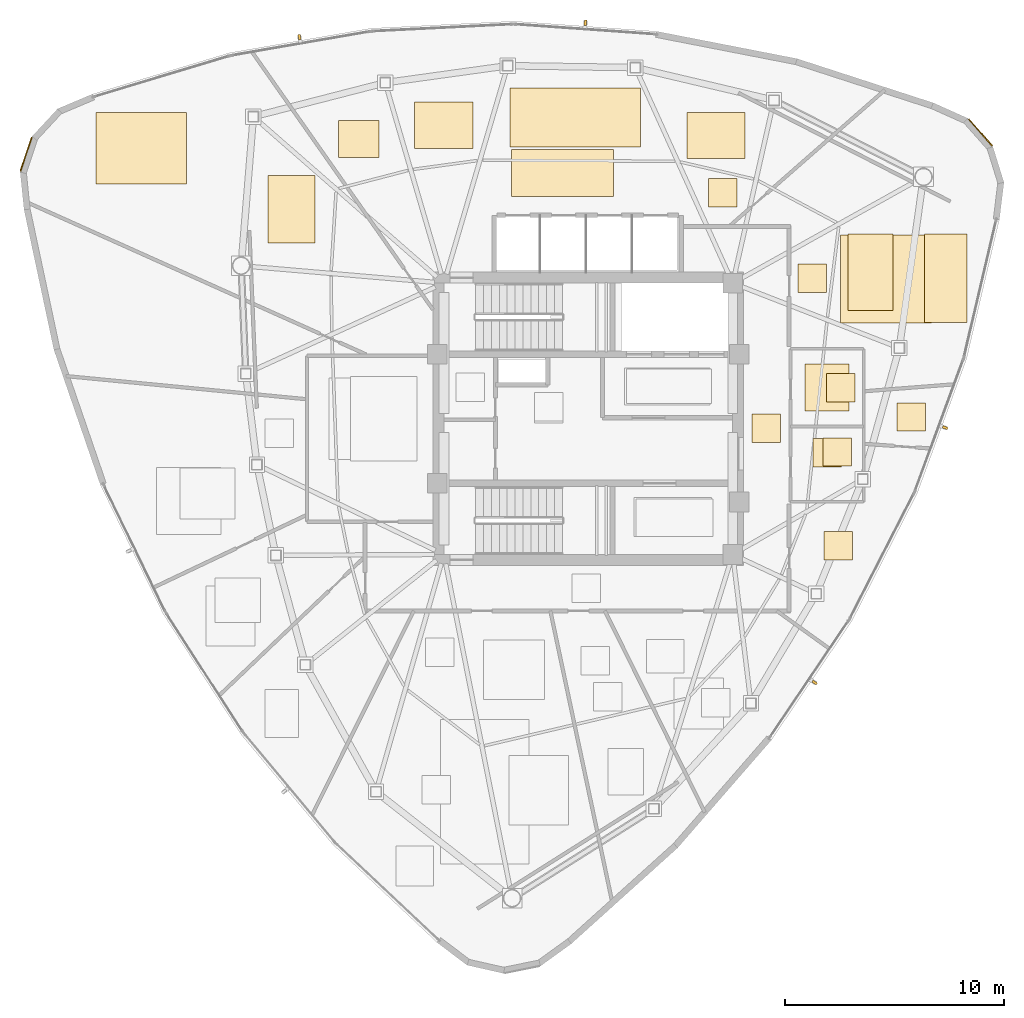
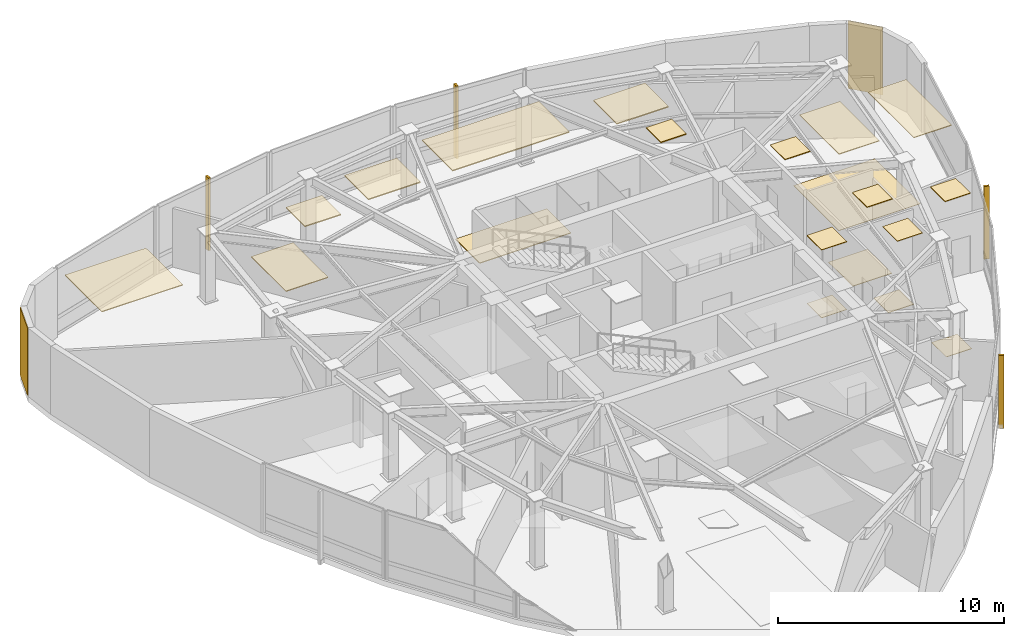
# One storey, part 12 of 12: 22 coverings, 4 shading devices.
"""IFC4 building model written with IfcOpenShell, lengths in metres."""

from ifc_helpers import new_model, si_unit, direction, frame, origin, origin_2d, place, context, subcontext, project, spatial, polyline, rectangle, outline, extrude, source, transform, mapped, material, layer, layer_set, type_object, type_shapes, element, save


model = new_model("IFC4")

# Units and contexts
model_context = context("Model", 3, precision=1e-05, world=origin(), true_north=direction((0.0, 1.0)))
body_context = subcontext(model_context, "Body", "Model", "MODEL_VIEW")
ifc_project = project(units=[si_unit("LENGTHUNIT", "METRE"), si_unit("AREAUNIT", "SQUARE_METRE"), si_unit("VOLUMEUNIT", "CUBIC_METRE"), si_unit("PLANEANGLEUNIT", "RADIAN"), si_unit("MASSUNIT", "GRAM", prefix="KILO")], contexts=[model_context])

# Site, building, storey
site_placement = place(None, origin())
site = spatial("IfcSite", under=ifc_project, at=site_placement, CompositionType="ELEMENT")
building_placement = place(site_placement, origin())
building = spatial("IfcBuilding", under=site, at=building_placement, Name="Tavelor Broadcast Tower", CompositionType="ELEMENT")
storey_placement = place(building_placement, frame((0.0, 0.0, 293.5)))
storey = spatial("IfcBuildingStorey", under=building, at=storey_placement, Name="L70", CompositionType="ELEMENT", Elevation=293.5)

# Coverings
ifc_material_1 = material(Name="Copper-Bronze Anodized Aluminium", Category="aluminium")
ifc_layer_1 = layer(ifc_material_1, 0.050048828125)
ifc_layer_set_1 = layer_set([ifc_layer_1], Name="Copper-Bronze Anodized Aluminium")
covering_type_1 = type_object("IfcCoveringType", Name="Champagne-Bronze Corner Pier Metal Cladding 50 mm", PredefinedType="CLADDING", material=ifc_layer_set_1)
for number, where, z_axis, x_axis, name in (
    (1, (24.304931640625, 57.090087890625, 0.02001953125), (0.0, 0.0, 1.0), (-0.316476967182, -0.948600194626, 0.0), "L70 Champagne-Bronze Corner Cladding 03"),
    (2, (67.91796875, 58.090087890625, 0.02001953125), (0.0, 0.0, 1.0), (-0.66327338299, 0.748377190605, 0.0), "L70 Champagne-Bronze Corner Cladding 23"),
):
    element("IfcCovering", number, at=place(storey_placement, frame(where, z_axis=z_axis, x_axis=x_axis)), inside=storey, type_object=covering_type_1, Name=name, PredefinedType="CLADDING", context=body_context, shape_type="SweptSolid", body=[
        extrude(rectangle(XDim=1.620361328125, YDim=0.050048828125, at=origin_2d()), origin(), (0.0, 0.0, 1.0), 3.659912109375),
    ])
ifc_material_2 = material(Name="Architectural Anodized Aluminium", Category="aluminium")
ifc_layer_2 = layer(ifc_material_2, 0.034912109375)
ifc_layer_set_2 = layer_set([ifc_layer_2], Name="Architectural Anodized Aluminium")
covering_type_2 = type_object("IfcCoveringType", Name="Demountable Metal Tile Corridor Ceiling 35 mm", PredefinedType="CEILING", material=ifc_layer_set_2)
covering_1_placement = place(storey_placement, frame((0.0, 0.0, 3.6650390625)))
element("IfcCovering", 3, at=covering_1_placement, inside=storey, type_object=covering_type_2, Name="L70 Suspended Acoustic Ceiling 2672", PredefinedType="CEILING", context=body_context, shape_type="SweptSolid", body=[
    extrude(outline(polyline([(57.489990234375, 43.925048828125), (58.7900390625, 43.925048828125), (58.7900390625, 45.22509765625), (57.489990234375, 45.22509765625), (57.489990234375, 43.925048828125)])), origin(), (0.0, 0.0, 1.0), 0.034912109375),
])
ifc_material_3 = material(Name="Acoustic Nylon Carpet Tile")
ifc_layer_3 = layer(ifc_material_3, 0.02001953125)
ifc_layer_set_3 = layer_set([ifc_layer_3], Name="Acoustic Nylon Carpet Tile")
covering_type_3 = type_object("IfcCoveringType", Name="Heavy-Duty Acoustic Broadcast Carpet Tile 20 mm", PredefinedType="FLOORING", material=ifc_layer_set_3)
covering_2_placement = place(storey_placement, origin())
element("IfcCovering", 4, at=covering_2_placement, inside=storey, type_object=covering_type_3, Name="L70 Broadcast Floor Finish 1042", PredefinedType="FLOORING", context=body_context, shape_type="SweptSolid", body=[
    extrude(outline(polyline([(57.489990234375, 43.925048828125), (58.7900390625, 43.925048828125), (58.7900390625, 45.22509765625), (57.489990234375, 45.22509765625), (57.489990234375, 43.925048828125)])), origin(), (0.0, 0.0, 1.0), 0.02001953125),
])
covering_3_placement = place(storey_placement, origin())
element("IfcCovering", 5, at=covering_3_placement, inside=storey, type_object=covering_type_3, Name="L70 Broadcast Floor Finish 1046", PredefinedType="FLOORING", context=body_context, shape_type="SweptSolid", body=[
    extrude(outline(polyline([(60.771728515625, 38.54248046875), (62.07177734375, 38.54248046875), (62.07177734375, 39.842529296875), (60.771728515625, 39.842529296875), (60.771728515625, 38.54248046875)])), origin(), (0.0, 0.0, 1.0), 0.02001953125),
])
covering_4_placement = place(storey_placement, origin())
element("IfcCovering", 6, at=covering_4_placement, inside=storey, type_object=covering_type_3, Name="L70 Broadcast Floor Finish 1053", PredefinedType="FLOORING", context=body_context, shape_type="SweptSolid", body=[
    extrude(outline(polyline([(61.5302734375, 49.376220703125), (65.69384765625, 49.376220703125), (65.69384765625, 53.39501953125), (61.5302734375, 53.39501953125), (61.5302734375, 49.376220703125)])), origin(), (0.0, 0.0, 1.0), 0.02001953125),
])
ifc_material_4 = material(Name="Acoustic Hardwood Studio Flooring", Category="wood")
ifc_layer_4 = layer(ifc_material_4, 0.034912109375)
ifc_layer_set_4 = layer_set([ifc_layer_4], Name="Acoustic Hardwood Studio Flooring")
covering_type_4 = type_object("IfcCoveringType", Name="Isolated Studio Acoustic Elastomeric Floor Finish 35 mm", PredefinedType="FLOORING", material=ifc_layer_set_4)
covering_5_placement = place(storey_placement, origin())
element("IfcCovering", 7, at=covering_5_placement, inside=storey, type_object=covering_type_4, Name="L70 Broadcast Floor Finish 1052", PredefinedType="FLOORING", context=body_context, shape_type="SweptSolid", body=[
    extrude(outline(polyline([(46.482666015625, 55.151123046875), (51.15673828125, 55.151123046875), (51.15673828125, 57.2998046875), (46.482666015625, 57.2998046875), (46.482666015625, 55.151123046875)])), origin(), (0.0, 0.0, 1.0), 0.034912109375),
])
ifc_material_5 = material(Name="Acoustic Perforated Timber Baffle", Category="wood")
ifc_layer_5 = layer(ifc_material_5, 0.054931640625)
ifc_layer_set_5 = layer_set([ifc_layer_5], Name="Acoustic Perforated Timber Baffle")
covering_type_5 = type_object("IfcCoveringType", Name="Micro-Perforated Acoustic Baffle Studio Ceiling 55 mm", PredefinedType="CEILING", material=ifc_layer_set_5)
covering_6_placement = place(storey_placement, frame((0.0, 0.0, 3.64501953125)))
element("IfcCovering", 8, at=covering_6_placement, inside=storey, type_object=covering_type_5, Name="L70 Suspended Acoustic Ceiling 2692", PredefinedType="CEILING", context=body_context, shape_type="SweptSolid", body=[
    extrude(outline(polyline([(54.51708984375, 56.90771484375), (57.165771484375, 56.90771484375), (57.165771484375, 58.9951171875), (54.51708984375, 58.9951171875), (54.51708984375, 56.90771484375)])), origin(), (0.0, 0.0, 1.0), 0.054931640625),
])
covering_7_placement = place(storey_placement, frame((0.0, 0.0, 3.64501953125)))
element("IfcCovering", 9, at=covering_7_placement, inside=storey, type_object=covering_type_5, Name="L70 Suspended Acoustic Ceiling 2693", PredefinedType="CEILING", context=body_context, shape_type="SweptSolid", body=[
    extrude(outline(polyline([(55.4873046875, 54.688720703125), (56.787353515625, 54.688720703125), (56.787353515625, 55.98876953125), (55.4873046875, 55.98876953125), (55.4873046875, 54.688720703125)])), origin(), (0.0, 0.0, 1.0), 0.054931640625),
])
covering_8_placement = place(storey_placement, frame((0.0, 0.0, 3.64501953125)))
element("IfcCovering", 10, at=covering_8_placement, inside=storey, type_object=covering_type_5, Name="L70 Suspended Acoustic Ceiling 2694", PredefinedType="CEILING", context=body_context, shape_type="SweptSolid", body=[
    extrude(outline(polyline([(38.587158203125, 56.950927734375), (40.4248046875, 56.950927734375), (40.4248046875, 58.6357421875), (38.587158203125, 58.6357421875), (38.587158203125, 56.950927734375)])), origin(), (0.0, 0.0, 1.0), 0.054931640625),
])
covering_9_placement = place(storey_placement, frame((0.0, 0.0, 3.64501953125)))
element("IfcCovering", 11, at=covering_9_placement, inside=storey, type_object=covering_type_5, Name="L70 Suspended Acoustic Ceiling 2695", PredefinedType="CEILING", context=body_context, shape_type="SweptSolid", body=[
    extrude(outline(polyline([(46.41064453125, 57.414794921875), (52.3798828125, 57.414794921875), (52.3798828125, 60.12158203125), (46.41064453125, 60.12158203125), (46.41064453125, 57.414794921875)])), origin(), (0.0, 0.0, 1.0), 0.054931640625),
])
covering_10_placement = place(storey_placement, frame((0.0, 0.0, 3.64501953125)))
element("IfcCovering", 12, at=covering_10_placement, inside=storey, type_object=covering_type_5, Name="L70 Suspended Acoustic Ceiling 2696", PredefinedType="CEILING", context=body_context, shape_type="SweptSolid", body=[
    extrude(outline(polyline([(42.065185546875, 57.3564453125), (44.7392578125, 57.3564453125), (44.7392578125, 59.48046875), (42.065185546875, 59.48046875), (42.065185546875, 57.3564453125)])), origin(), (0.0, 0.0, 1.0), 0.054931640625),
])
ifc_layer_6 = layer(ifc_material_2, 0.030029296875)
ifc_layer_set_6 = layer_set([ifc_layer_6], Name="Architectural Anodized Aluminium")
covering_type_6 = type_object("IfcCoveringType", Name="Moisture-Resistant Washroom Ceiling 30 mm", PredefinedType="CEILING", material=ifc_layer_set_6)
covering_11_placement = place(storey_placement, frame((0.0, 0.0, 3.669921875)))
element("IfcCovering", 13, at=covering_11_placement, inside=storey, type_object=covering_type_6, Name="L70 Suspended Acoustic Ceiling 2675", PredefinedType="CEILING", context=body_context, shape_type="SweptSolid", body=[
    extrude(outline(polyline([(60.73388671875, 42.831787109375), (62.03369140625, 42.831787109375), (62.03369140625, 44.131591796875), (60.73388671875, 44.131591796875), (60.73388671875, 42.831787109375)])), origin(), (0.0, 0.0, 1.0), 0.030029296875),
])
covering_12_placement = place(storey_placement, frame((0.0, 0.0, 3.669921875)))
element("IfcCovering", 14, at=covering_12_placement, inside=storey, type_object=covering_type_6, Name="L70 Suspended Acoustic Ceiling 2676", PredefinedType="CEILING", context=body_context, shape_type="SweptSolid", body=[
    extrude(outline(polyline([(60.8916015625, 45.77490234375), (62.19140625, 45.77490234375), (62.19140625, 47.074951171875), (60.8916015625, 47.074951171875), (60.8916015625, 45.77490234375)])), origin(), (0.0, 0.0, 1.0), 0.030029296875),
])
ifc_material_6 = material(Name="Slip-Resistant Porcelain Tile")
ifc_layer_7 = layer(ifc_material_6, 0.02490234375)
ifc_layer_set_7 = layer_set([ifc_layer_7], Name="Slip-Resistant Porcelain Tile")
covering_type_7 = type_object("IfcCoveringType", Name="Slip-Resistant Porcelain Wet-Area Floor Tile 25 mm", PredefinedType="FLOORING", material=ifc_layer_set_7)
covering_13_placement = place(storey_placement, origin())
element("IfcCovering", 15, at=covering_13_placement, inside=storey, type_object=covering_type_7, Name="L70 Broadcast Floor Finish 1044", PredefinedType="FLOORING", context=body_context, shape_type="SweptSolid", body=[
    extrude(outline(polyline([(60.260009765625, 42.791748046875), (61.56005859375, 42.791748046875), (61.56005859375, 44.091796875), (60.260009765625, 44.091796875), (60.260009765625, 42.791748046875)])), origin(), (0.0, 0.0, 1.0), 0.02490234375),
])
covering_14_placement = place(storey_placement, origin())
element("IfcCovering", 16, at=covering_14_placement, inside=storey, type_object=covering_type_7, Name="L70 Broadcast Floor Finish 1045", PredefinedType="FLOORING", context=body_context, shape_type="SweptSolid", body=[
    extrude(outline(polyline([(59.91064453125, 45.35009765625), (61.909423828125, 45.35009765625), (61.909423828125, 47.5), (59.91064453125, 47.5), (59.91064453125, 45.35009765625)])), origin(), (0.0, 0.0, 1.0), 0.02490234375),
])
ifc_material_7 = material(Name="Acoustic Mineral Fibre Tile")
ifc_layer_8 = layer(ifc_material_7, 0.0400390625)
ifc_layer_set_8 = layer_set([ifc_layer_8], Name="Acoustic Mineral Fibre Tile")
covering_type_8 = type_object("IfcCoveringType", Name="Suspended Acoustic Mineral-Fibre Office Ceiling 40 mm", PredefinedType="CEILING", material=ifc_layer_set_8)
covering_15_placement = place(storey_placement, frame((0.0, 0.0, 3.659912109375)))
element("IfcCovering", 17, at=covering_15_placement, inside=storey, type_object=covering_type_8, Name="L70 Suspended Acoustic Ceiling 2690", PredefinedType="CEILING", context=body_context, shape_type="SweptSolid", body=[
    extrude(outline(polyline([(27.4951171875, 55.74169921875), (31.643310546875, 55.74169921875), (31.643310546875, 59.010009765625), (27.4951171875, 59.010009765625), (27.4951171875, 55.74169921875)])), origin(), (0.0, 0.0, 1.0), 0.0400390625),
])
covering_16_placement = place(storey_placement, frame((0.0, 0.0, 3.659912109375)))
element("IfcCovering", 18, at=covering_16_placement, inside=storey, type_object=covering_type_8, Name="L70 Suspended Acoustic Ceiling 2691", PredefinedType="CEILING", context=body_context, shape_type="SweptSolid", body=[
    extrude(outline(polyline([(35.348876953125, 53.025634765625), (37.5078125, 53.025634765625), (37.5078125, 56.111572265625), (35.348876953125, 56.111572265625), (35.348876953125, 53.025634765625)])), origin(), (0.0, 0.0, 1.0), 0.0400390625),
])
covering_17_placement = place(storey_placement, frame((0.0, 0.0, 3.659912109375)))
element("IfcCovering", 19, at=covering_17_placement, inside=storey, type_object=covering_type_8, Name="L70 Suspended Acoustic Ceiling 2697", PredefinedType="CEILING", context=body_context, shape_type="SweptSolid", body=[
    extrude(outline(polyline([(61.864501953125, 49.95068359375), (63.933837890625, 49.95068359375), (63.933837890625, 53.45166015625), (61.864501953125, 53.45166015625), (61.864501953125, 49.95068359375)])), origin(), (0.0, 0.0, 1.0), 0.0400390625),
])
covering_18_placement = place(storey_placement, frame((0.0, 0.0, 3.659912109375)))
element("IfcCovering", 20, at=covering_18_placement, inside=storey, type_object=covering_type_8, Name="L70 Suspended Acoustic Ceiling 2698", PredefinedType="CEILING", context=body_context, shape_type="SweptSolid", body=[
    extrude(outline(polyline([(65.373046875, 49.3974609375), (67.3115234375, 49.3974609375), (67.3115234375, 53.447998046875), (65.373046875, 53.447998046875), (65.373046875, 49.3974609375)])), origin(), (0.0, 0.0, 1.0), 0.0400390625),
])
covering_19_placement = place(storey_placement, frame((0.0, 0.0, 3.659912109375)))
element("IfcCovering", 21, at=covering_19_placement, inside=storey, type_object=covering_type_8, Name="L70 Suspended Acoustic Ceiling 2699", PredefinedType="CEILING", context=body_context, shape_type="SweptSolid", body=[
    extrude(outline(polyline([(59.5791015625, 50.781494140625), (60.879150390625, 50.781494140625), (60.879150390625, 52.081298828125), (59.5791015625, 52.081298828125), (59.5791015625, 50.781494140625)])), origin(), (0.0, 0.0, 1.0), 0.0400390625),
])
covering_20_placement = place(storey_placement, frame((0.0, 0.0, 3.659912109375)))
element("IfcCovering", 22, at=covering_20_placement, inside=storey, type_object=covering_type_8, Name="L70 Suspended Acoustic Ceiling 2700", PredefinedType="CEILING", context=body_context, shape_type="SweptSolid", body=[
    extrude(outline(polyline([(64.10400390625, 44.430908203125), (65.404052734375, 44.430908203125), (65.404052734375, 45.730712890625), (64.10400390625, 45.730712890625), (64.10400390625, 44.430908203125)])), origin(), (0.0, 0.0, 1.0), 0.0400390625),
])

# Shading devices
ifc_material_8 = material(Name="Kiln-Fired Glazed Terracotta", Category="masonry")
shading_device_type = type_object("IfcShadingDeviceType", Name="Extruded Terracotta Baguette Sun-Screen 110x240", PredefinedType="JALOUSIE", material=ifc_material_8)
shared_shape = source(origin(), body_context, "Body", "SweptSolid", [
    extrude(rectangle(XDim=0.110107421875, YDim=0.239990234375, at=origin_2d()), origin(), (0.0, 0.0, 1.0), 3.93994140625),
])
type_shapes(shading_device_type, [shared_shape])
for number, where, z_axis, x_axis, name in (
    (23, (60.343994140625, 32.945556640625, -0.260009765625), (0.0, 0.0, 1.0), (0.560349912828, 0.828255984098, 0.0), "L70 Terracotta Baguette Fin 693"),
    (24, (66.310546875, 44.593017578125, -0.260009765625), (0.0, 0.0, 1.0), (0.344806757891, 0.938673691819, 0.0), "L70 Terracotta Baguette Fin 694"),
    (25, (49.867431640625, 63.10302734375, -0.260009765625), (0.0, 0.0, 1.0), (-0.997465679479, 0.071149267469, 0.0), "L70 Terracotta Baguette Fin 695"),
    (26, (36.797119140625, 62.446533203125, -0.260009765625), (0.0, 0.0, 1.0), (-0.985318641925, -0.17072543418, 0.0), "L70 Terracotta Baguette Fin 696"),
):
    element("IfcShadingDevice", number, at=place(storey_placement, frame(where, z_axis=z_axis, x_axis=x_axis)), inside=storey, type_object=shading_device_type, Name=name, PredefinedType="JALOUSIE", context=body_context, shape_type="MappedRepresentation", body=[
        mapped(shared_shape, transform((0.0, 0.0, 0.0), scale=1.0)),
    ])

save(model, "model.ifc")
